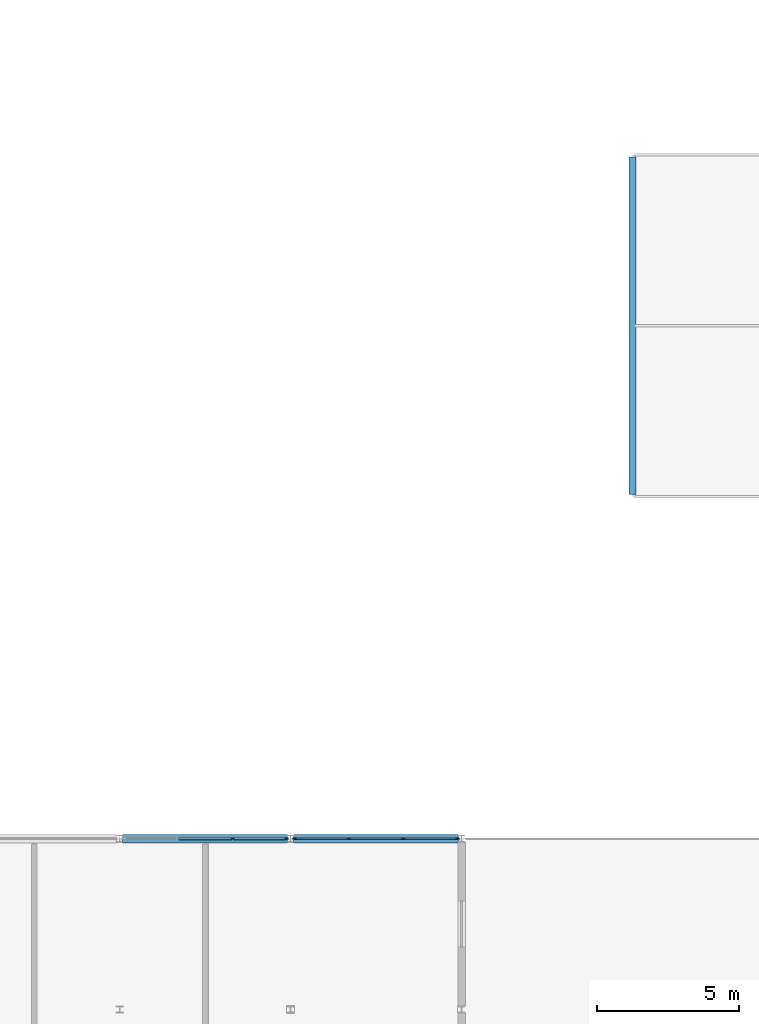
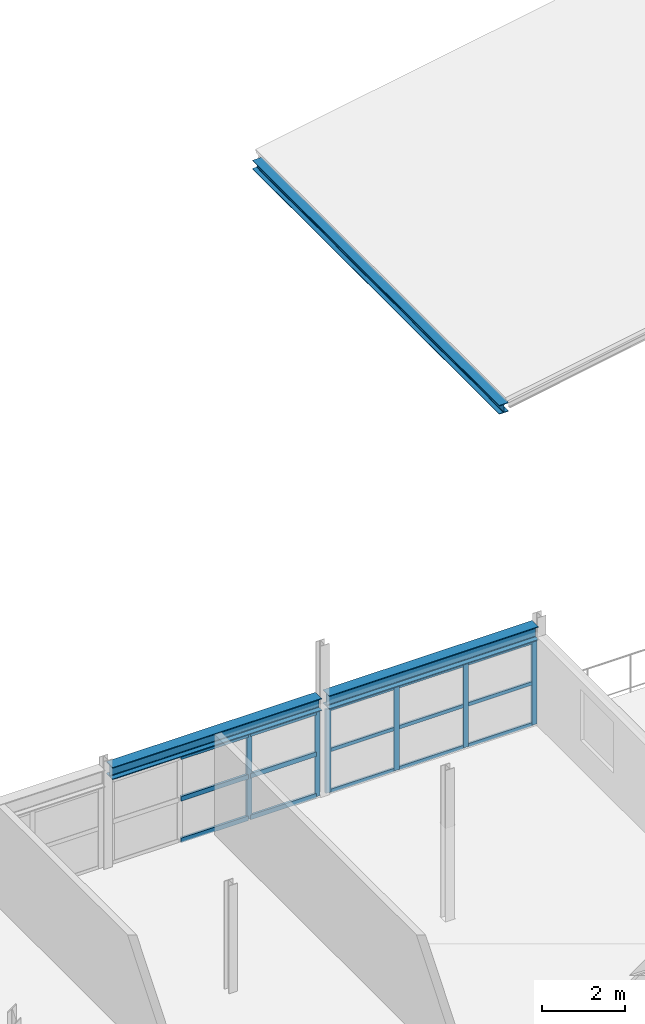
# One storey, part 61 of 137: 21 members, 3 beams, 2 elements without a shape of their own.
"""IFC4 building model written with IfcOpenShell, lengths in metres."""

from ifc_helpers import new_model, si_unit, direction, frame, origin, origin_2d, place, context, subcontext, project, spatial, rectangle, i_section, extrude, material, layer, layer_set, material_profile, profile_set, type_object, element, aggregate, save


model = new_model("IFC4")

# Units and contexts
model_context = context("Model", 3, precision=1e-05, world=origin(), true_north=direction((0.0, 1.0)))
body_context = subcontext(model_context, "Body", "Model", "MODEL_VIEW")
ifc_project = project(units=[si_unit("LENGTHUNIT", "METRE"), si_unit("AREAUNIT", "SQUARE_METRE"), si_unit("VOLUMEUNIT", "CUBIC_METRE"), si_unit("PLANEANGLEUNIT", "RADIAN"), si_unit("MASSUNIT", "GRAM", prefix="KILO"), si_unit("POWERUNIT", "WATT"), si_unit("THERMODYNAMICTEMPERATUREUNIT", "KELVIN")], contexts=[model_context])

# Site, building, storey
site_placement = place(None, origin())
site = spatial("IfcSite", under=ifc_project, at=site_placement, CompositionType="ELEMENT")
building_placement = place(site_placement, origin())
building = spatial("IfcBuilding", under=site, at=building_placement, Name="Ruvembo Vaulted Housing Court", CompositionType="ELEMENT")
storey_placement = place(building_placement, frame((0.0, 0.0, 4.5)))
storey = spatial("IfcBuildingStorey", under=building, at=storey_placement, Name="L01", CompositionType="ELEMENT", Elevation=4.5)

# Beams
ifc_material_1 = material(Name="Steel S355J2", Category="steel")
ifc_material_profile_1 = material_profile(ifc_material_1, i_section(OverallWidth=0.260009765625, OverallDepth=0.260009765625, WebThickness=0.010009765625, FlangeThickness=0.017578125, FilletRadius=0.02392578125, at=origin_2d()), Name="HEB 260")
ifc_profile_set_1 = profile_set([ifc_material_profile_1], Name="Steel S355J2")
beam_type_1 = type_object("IfcBeamType", Name="BM-ST-HEB260", PredefinedType="BEAM", material=ifc_profile_set_1)
beam_1_placement = place(storey_placement, frame((174.0, 48.080078125, -0.239990234375), z_axis=(0.0, 1.0, 0.0), x_axis=(-1.0, 0.0, 0.0)))
element("IfcBeam", 1, at=beam_1_placement, inside=storey, type_object=beam_type_1, Name="Canopy Steel Cross Beam CAN-E X174", PredefinedType="BEAM", context=body_context, shape_type="SweptSolid", body=[
    extrude(i_section(OverallWidth=0.260009765625, OverallDepth=0.260009765625, WebThickness=0.010009765625, FlangeThickness=0.017578125, FilletRadius=0.02392578125, at=origin_2d()), origin(), (0.0, 0.0, 1.0), 11.83984375),
])
ifc_material_profile_2 = material_profile(ifc_material_1, i_section(OverallWidth=0.300048828125, OverallDepth=0.360107421875, WebThickness=0.012451171875, FlangeThickness=0.0224609375, FilletRadius=0.027099609375, at=origin_2d()), Name="HEB 360")
ifc_profile_set_2 = profile_set([ifc_material_profile_2], Name="Steel S355J2")
beam_type_2 = type_object("IfcBeamType", Name="BM-ST-HEB360", PredefinedType="BEAM", material=ifc_profile_set_2)
beam_2_placement = place(storey_placement, frame((156.10498046875, 36.0, 2.74609375), z_axis=(1.0, 0.0, 0.0), x_axis=(0.0, 1.0, 0.0)))
element("IfcBeam", 2, at=beam_2_placement, inside=storey, type_object=beam_type_2, Name="L01 Grid Beam X #1206", PredefinedType="BEAM", context=body_context, shape_type="SweptSolid", body=[
    extrude(i_section(OverallWidth=0.300048828125, OverallDepth=0.360107421875, WebThickness=0.012451171875, FlangeThickness=0.0224609375, FilletRadius=0.027099609375, at=origin_2d()), origin(), (0.0, 0.0, 1.0), 5.7900390625),
])
ifc_material_profile_3 = material_profile(ifc_material_1, i_section(OverallWidth=0.300048828125, OverallDepth=0.39990234375, WebThickness=0.013427734375, FlangeThickness=0.02392578125, FilletRadius=0.027099609375, at=origin_2d()), Name="HEB 400")
ifc_profile_set_3 = profile_set([ifc_material_profile_3], Name="Steel S355J2")
beam_type_3 = type_object("IfcBeamType", Name="BM-ST-HEB400", PredefinedType="BEAM", material=ifc_profile_set_3)
beam_3_placement = place(storey_placement, frame((162.10498046875, 36.0, 2.72607421875), z_axis=(1.0, 0.0, 0.0), x_axis=(0.0, 1.0, 0.0)))
element("IfcBeam", 3, at=beam_3_placement, inside=storey, type_object=beam_type_3, Name="L01 Grid Beam X #1207", PredefinedType="BEAM", context=body_context, shape_type="SweptSolid", body=[
    extrude(i_section(OverallWidth=0.300048828125, OverallDepth=0.39990234375, WebThickness=0.013427734375, FlangeThickness=0.02392578125, FilletRadius=0.027099609375, at=origin_2d()), origin(), (0.0, 0.0, 1.0), 5.7900390625),
])

# Curtain wall, members
ifc_material_2 = material(Name="Anodised Aluminium and Solar-Control Glass", Category="aluminium")
ifc_layer = layer(ifc_material_2, 0.139892578125, Name="Anodised Aluminium and Solar-Control Glass")
ifc_layer_set = layer_set([ifc_layer], Name="Anodised Aluminium and Solar-Control Glass")
curtain_wall_type = type_object("IfcCurtainWallType", Name="CW-SHOPFRONT-U", PredefinedType="NOTDEFINED", material=ifc_layer_set)
curtain_wall_1_placement = place(storey_placement, origin())
curtain_wall_1 = element("IfcCurtainWall", 4, at=curtain_wall_1_placement, inside=storey, type_object=curtain_wall_type, Name="L01 Curtain Wall CW-L01-0148", PredefinedType="NOTDEFINED")
ifc_material_3 = material(Name="Anodised Aluminium 6063-T6", Category="aluminium")
ifc_material_profile_4 = material_profile(ifc_material_3, rectangle(XDim=0.06005859375, YDim=0.139892578125, at=origin_2d()), Name="ALU 60x140")
ifc_profile_set_4 = profile_set([ifc_material_profile_4], Name="Anodised Aluminium 6063-T6")
member_type_1 = type_object("IfcMemberType", Name="CW-MUL-60x140", PredefinedType="MULLION", material=ifc_profile_set_4)
member_1_placement = place(storey_placement, frame((161.85009765625, 36.0, 0.0), z_axis=(0.0, 0.0, 1.0), x_axis=(0.0, -1.0, 0.0)))
member_1 = element("IfcMember", 5, at=member_1_placement, type_object=member_type_1, Name="CW8 mullion 1", PredefinedType="MULLION", context=body_context, shape_type="SweptSolid", body=[
    extrude(rectangle(XDim=0.06005859375, YDim=0.139892578125, at=origin_2d()), origin(), (0.0, 0.0, 1.0), 2.498046875),
])
member_2_placement = place(storey_placement, frame((159.9599609375, 36.0, 0.0), z_axis=(0.0, 0.0, 1.0), x_axis=(0.0, -1.0, 0.0)))
member_2 = element("IfcMember", 6, at=member_2_placement, type_object=member_type_1, Name="CW8 mullion 2", PredefinedType="MULLION", context=body_context, shape_type="SweptSolid", body=[
    extrude(rectangle(XDim=0.06005859375, YDim=0.139892578125, at=origin_2d()), origin(), (0.0, 0.0, 1.0), 2.498046875),
])

curtain_wall_2_placement = place(storey_placement, origin())
curtain_wall_2 = element("IfcCurtainWall", 7, at=curtain_wall_2_placement, inside=storey, type_object=curtain_wall_type, Name="L01 Curtain Wall CW-L01-0152", PredefinedType="NOTDEFINED")
member_3_placement = place(storey_placement, frame((167.85009765625, 36.0, 0.0), z_axis=(0.0, 0.0, 1.0), x_axis=(0.0, -1.0, 0.0)))
member_3 = element("IfcMember", 8, at=member_3_placement, type_object=member_type_1, Name="CW8 mullion 1", PredefinedType="MULLION", context=body_context, shape_type="SweptSolid", body=[
    extrude(rectangle(XDim=0.06005859375, YDim=0.139892578125, at=origin_2d()), origin(), (0.0, 0.0, 1.0), 2.4580078125),
])
member_4_placement = place(storey_placement, frame((165.9599609375, 36.0, 0.0), z_axis=(0.0, 0.0, 1.0), x_axis=(0.0, -1.0, 0.0)))
member_4 = element("IfcMember", 9, at=member_4_placement, type_object=member_type_1, Name="CW8 mullion 2", PredefinedType="MULLION", context=body_context, shape_type="SweptSolid", body=[
    extrude(rectangle(XDim=0.06005859375, YDim=0.139892578125, at=origin_2d()), origin(), (0.0, 0.0, 1.0), 2.4580078125),
])
member_5_placement = place(storey_placement, frame((164.0400390625, 36.0, 0.0), z_axis=(0.0, 0.0, 1.0), x_axis=(0.0, -1.0, 0.0)))
member_5 = element("IfcMember", 10, at=member_5_placement, type_object=member_type_1, Name="CW8 mullion 3", PredefinedType="MULLION", context=body_context, shape_type="SweptSolid", body=[
    extrude(rectangle(XDim=0.06005859375, YDim=0.139892578125, at=origin_2d()), origin(), (0.0, 0.0, 1.0), 2.4580078125),
])
member_6_placement = place(storey_placement, frame((162.14990234375, 36.0, 0.0), z_axis=(0.0, 0.0, 1.0), x_axis=(0.0, -1.0, 0.0)))
member_6 = element("IfcMember", 11, at=member_6_placement, type_object=member_type_1, Name="CW8 mullion 4", PredefinedType="MULLION", context=body_context, shape_type="SweptSolid", body=[
    extrude(rectangle(XDim=0.06005859375, YDim=0.139892578125, at=origin_2d()), origin(), (0.0, 0.0, 1.0), 2.4580078125),
])
ifc_material_profile_5 = material_profile(ifc_material_3, rectangle(XDim=0.06005859375, YDim=0.10009765625, at=origin_2d()), Name="ALU 60x100")
ifc_profile_set_5 = profile_set([ifc_material_profile_5], Name="Anodised Aluminium 6063-T6")
member_type_2 = type_object("IfcMemberType", Name="CW-TRN-60x100", PredefinedType="USERDEFINED", material=ifc_profile_set_5)
member_7_placement = place(storey_placement, frame((167.820068359375, 36.0, 0.030029296875), z_axis=(-1.0, 0.0, 0.0), x_axis=(0.0, -1.0, 0.0)))
member_7 = element("IfcMember", 12, at=member_7_placement, type_object=member_type_2, Name="CW8 transom 1.1", ObjectType="TRANSOM", PredefinedType="USERDEFINED", context=body_context, shape_type="SweptSolid", body=[
    extrude(rectangle(XDim=0.06005859375, YDim=0.10009765625, at=origin_2d()), origin(), (0.0, 0.0, 1.0), 1.830078125),
])
member_8_placement = place(storey_placement, frame((167.820068359375, 36.0, 1.22900390625), z_axis=(-1.0, 0.0, 0.0), x_axis=(0.0, -1.0, 0.0)))
member_8 = element("IfcMember", 13, at=member_8_placement, type_object=member_type_2, Name="CW8 transom 1.2", ObjectType="TRANSOM", PredefinedType="USERDEFINED", context=body_context, shape_type="SweptSolid", body=[
    extrude(rectangle(XDim=0.06005859375, YDim=0.10009765625, at=origin_2d()), origin(), (0.0, 0.0, 1.0), 1.830078125),
])
member_9_placement = place(storey_placement, frame((167.820068359375, 36.0, 2.427978515625), z_axis=(-1.0, 0.0, 0.0), x_axis=(0.0, -1.0, 0.0)))
member_9 = element("IfcMember", 14, at=member_9_placement, type_object=member_type_2, Name="CW8 transom 1.3", ObjectType="TRANSOM", PredefinedType="USERDEFINED", context=body_context, shape_type="SweptSolid", body=[
    extrude(rectangle(XDim=0.06005859375, YDim=0.10009765625, at=origin_2d()), origin(), (0.0, 0.0, 1.0), 1.830078125),
])
member_10_placement = place(storey_placement, frame((165.929931640625, 36.0, 0.030029296875), z_axis=(-1.0, 0.0, 0.0), x_axis=(0.0, -1.0, 0.0)))
member_10 = element("IfcMember", 15, at=member_10_placement, type_object=member_type_2, Name="CW8 transom 2.1", ObjectType="TRANSOM", PredefinedType="USERDEFINED", context=body_context, shape_type="SweptSolid", body=[
    extrude(rectangle(XDim=0.06005859375, YDim=0.10009765625, at=origin_2d()), origin(), (0.0, 0.0, 1.0), 1.85986328125),
])
member_11_placement = place(storey_placement, frame((165.929931640625, 36.0, 1.22900390625), z_axis=(-1.0, 0.0, 0.0), x_axis=(0.0, -1.0, 0.0)))
member_11 = element("IfcMember", 16, at=member_11_placement, type_object=member_type_2, Name="CW8 transom 2.2", ObjectType="TRANSOM", PredefinedType="USERDEFINED", context=body_context, shape_type="SweptSolid", body=[
    extrude(rectangle(XDim=0.06005859375, YDim=0.10009765625, at=origin_2d()), origin(), (0.0, 0.0, 1.0), 1.85986328125),
])
member_12_placement = place(storey_placement, frame((165.929931640625, 36.0, 2.427978515625), z_axis=(-1.0, 0.0, 0.0), x_axis=(0.0, -1.0, 0.0)))
member_12 = element("IfcMember", 17, at=member_12_placement, type_object=member_type_2, Name="CW8 transom 2.3", ObjectType="TRANSOM", PredefinedType="USERDEFINED", context=body_context, shape_type="SweptSolid", body=[
    extrude(rectangle(XDim=0.06005859375, YDim=0.10009765625, at=origin_2d()), origin(), (0.0, 0.0, 1.0), 1.85986328125),
])
member_13_placement = place(storey_placement, frame((164.010009765625, 36.0, 0.030029296875), z_axis=(-1.0, 0.0, 0.0), x_axis=(0.0, -1.0, 0.0)))
member_13 = element("IfcMember", 18, at=member_13_placement, type_object=member_type_2, Name="CW8 transom 3.1", ObjectType="TRANSOM", PredefinedType="USERDEFINED", context=body_context, shape_type="SweptSolid", body=[
    extrude(rectangle(XDim=0.06005859375, YDim=0.10009765625, at=origin_2d()), origin(), (0.0, 0.0, 1.0), 1.830078125),
])
member_14_placement = place(storey_placement, frame((164.010009765625, 36.0, 1.22900390625), z_axis=(-1.0, 0.0, 0.0), x_axis=(0.0, -1.0, 0.0)))
member_14 = element("IfcMember", 19, at=member_14_placement, type_object=member_type_2, Name="CW8 transom 3.2", ObjectType="TRANSOM", PredefinedType="USERDEFINED", context=body_context, shape_type="SweptSolid", body=[
    extrude(rectangle(XDim=0.06005859375, YDim=0.10009765625, at=origin_2d()), origin(), (0.0, 0.0, 1.0), 1.830078125),
])
member_15_placement = place(storey_placement, frame((164.010009765625, 36.0, 2.427978515625), z_axis=(-1.0, 0.0, 0.0), x_axis=(0.0, -1.0, 0.0)))
member_15 = element("IfcMember", 20, at=member_15_placement, type_object=member_type_2, Name="CW8 transom 3.3", ObjectType="TRANSOM", PredefinedType="USERDEFINED", context=body_context, shape_type="SweptSolid", body=[
    extrude(rectangle(XDim=0.06005859375, YDim=0.10009765625, at=origin_2d()), origin(), (0.0, 0.0, 1.0), 1.830078125),
])
aggregate(curtain_wall_2, [member_3, member_4, member_5, member_6, member_7, member_8, member_9, member_10, member_11, member_12, member_13, member_14, member_15])

# Member
ifc_material_profile_6 = material_profile(ifc_material_3, rectangle(XDim=0.06494140625, YDim=0.135009765625, at=origin_2d()), Name="ALU 65x135")
ifc_profile_set_6 = profile_set([ifc_material_profile_6], Name="Anodised Aluminium 6063-T6")
member_type_3 = type_object("IfcMemberType", Name="CW-TRN-65x135", PredefinedType="USERDEFINED", material=ifc_profile_set_6)
member_16_placement = place(storey_placement, frame((161.820068359375, 36.0, 0.032470703125), z_axis=(-1.0, 0.0, 0.0), x_axis=(0.0, -1.0, 0.0)))
member_16 = element("IfcMember", 21, at=member_16_placement, type_object=member_type_3, Name="CW8 transom 1.1", ObjectType="TRANSOM", PredefinedType="USERDEFINED", context=body_context, shape_type="SweptSolid", body=[
    extrude(rectangle(XDim=0.06494140625, YDim=0.135009765625, at=origin_2d()), origin(), (0.0, 0.0, 1.0), 1.830078125),
])

member_17_placement = place(storey_placement, frame((161.820068359375, 36.0, 1.2490234375), z_axis=(-1.0, 0.0, 0.0), x_axis=(0.0, -1.0, 0.0)))
member_17 = element("IfcMember", 22, at=member_17_placement, type_object=member_type_3, Name="CW8 transom 1.2", ObjectType="TRANSOM", PredefinedType="USERDEFINED", context=body_context, shape_type="SweptSolid", body=[
    extrude(rectangle(XDim=0.06494140625, YDim=0.135009765625, at=origin_2d()), origin(), (0.0, 0.0, 1.0), 1.830078125),
])

member_18_placement = place(storey_placement, frame((161.820068359375, 36.0, 2.465576171875), z_axis=(-1.0, 0.0, 0.0), x_axis=(0.0, -1.0, 0.0)))
member_18 = element("IfcMember", 23, at=member_18_placement, type_object=member_type_3, Name="CW8 transom 1.3", ObjectType="TRANSOM", PredefinedType="USERDEFINED", context=body_context, shape_type="SweptSolid", body=[
    extrude(rectangle(XDim=0.06494140625, YDim=0.135009765625, at=origin_2d()), origin(), (0.0, 0.0, 1.0), 1.830078125),
])

member_19_placement = place(storey_placement, frame((159.929931640625, 36.0, 0.032470703125), z_axis=(-1.0, 0.0, 0.0), x_axis=(0.0, -1.0, 0.0)))
member_19 = element("IfcMember", 24, at=member_19_placement, type_object=member_type_3, Name="CW8 transom 2.1", ObjectType="TRANSOM", PredefinedType="USERDEFINED", context=body_context, shape_type="SweptSolid", body=[
    extrude(rectangle(XDim=0.06494140625, YDim=0.135009765625, at=origin_2d()), origin(), (0.0, 0.0, 1.0), 1.85986328125),
])

member_20_placement = place(storey_placement, frame((159.929931640625, 36.0, 1.2490234375), z_axis=(-1.0, 0.0, 0.0), x_axis=(0.0, -1.0, 0.0)))
member_20 = element("IfcMember", 25, at=member_20_placement, type_object=member_type_3, Name="CW8 transom 2.2", ObjectType="TRANSOM", PredefinedType="USERDEFINED", context=body_context, shape_type="SweptSolid", body=[
    extrude(rectangle(XDim=0.06494140625, YDim=0.135009765625, at=origin_2d()), origin(), (0.0, 0.0, 1.0), 1.85986328125),
])

member_21_placement = place(storey_placement, frame((159.929931640625, 36.0, 2.465576171875), z_axis=(-1.0, 0.0, 0.0), x_axis=(0.0, -1.0, 0.0)))
member_21 = element("IfcMember", 26, at=member_21_placement, type_object=member_type_3, Name="CW8 transom 2.3", ObjectType="TRANSOM", PredefinedType="USERDEFINED", context=body_context, shape_type="SweptSolid", body=[
    extrude(rectangle(XDim=0.06494140625, YDim=0.135009765625, at=origin_2d()), origin(), (0.0, 0.0, 1.0), 1.85986328125),
])

aggregate(curtain_wall_1, [member_1, member_2, member_16, member_17, member_18, member_19, member_20, member_21])

save(model, "model.ifc")
